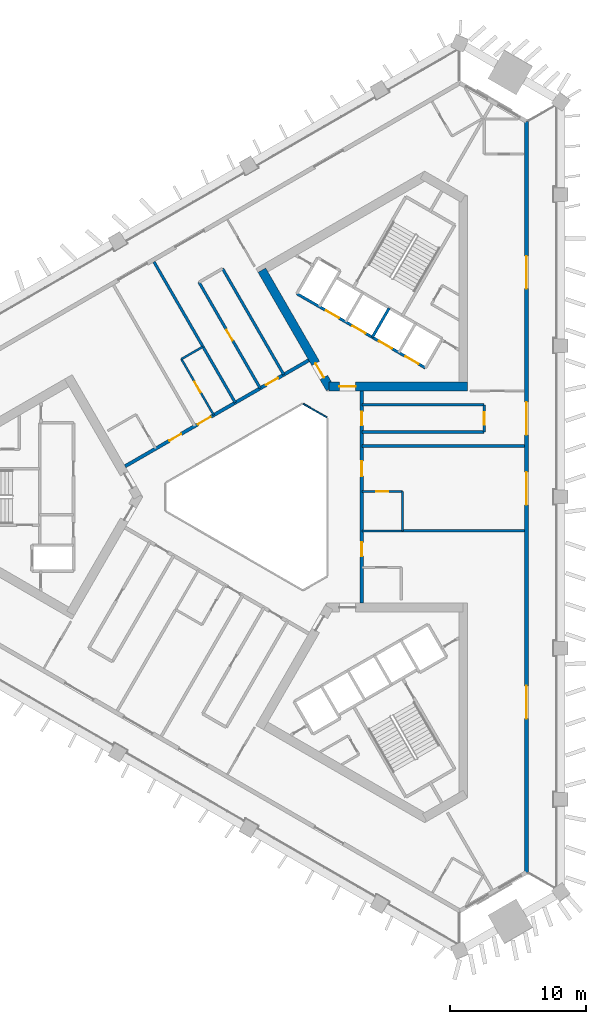
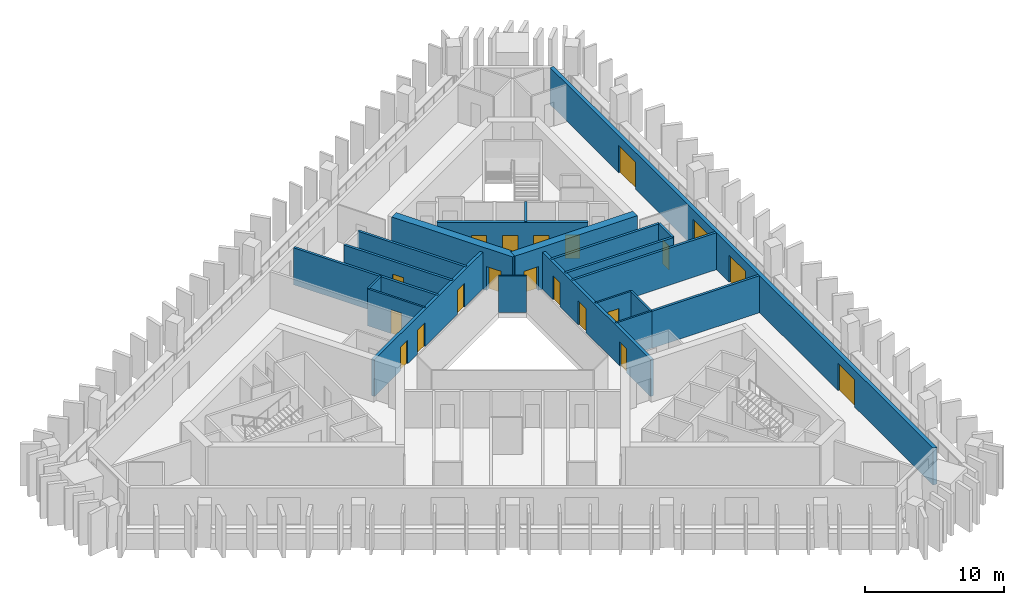
# One storey, part 5 of 11: 21 walls, 20 doors, 20 openings.
"""IFC4 building model written with IfcOpenShell, lengths in metres."""

from ifc_helpers import new_model, si_unit, direction, frame, frame_2d, origin, place, context, subcontext, project, spatial, rectangle, extrude, material, layer, layer_set, type_object, element, fill, save


model = new_model("IFC4")

# Units and contexts
model_context = context("Model", 3, precision=1e-05, world=origin(), true_north=direction((0.0, 1.0)))
body_context = subcontext(model_context, "Body", "Model", "MODEL_VIEW")
ifc_project = project(units=[si_unit("LENGTHUNIT", "METRE"), si_unit("AREAUNIT", "SQUARE_METRE"), si_unit("VOLUMEUNIT", "CUBIC_METRE"), si_unit("PLANEANGLEUNIT", "RADIAN"), si_unit("MASSUNIT", "GRAM", prefix="KILO")], contexts=[model_context])

# Site, building, storey
site_placement = place(None, origin())
site = spatial("IfcSite", under=ifc_project, at=site_placement, CompositionType="ELEMENT")
building_placement = place(site_placement, origin())
building = spatial("IfcBuilding", under=site, at=building_placement, Name="Jabali Bay Hotel Tower and Convention Centre", CompositionType="ELEMENT")
storey_placement = place(building_placement, frame((0.0, 0.0, 143.800048828125)))
storey = spatial("IfcBuildingStorey", under=building, at=storey_placement, Name="L35", CompositionType="ELEMENT", Elevation=143.800048828125)

# Walls
ifc_material_1 = material(Name="Fire-resistant glazing", Category="glass")
ifc_layer_1 = layer(ifc_material_1, 0.10009765625)
ifc_layer_set_1 = layer_set([ifc_layer_1], Name="Fire-resistant glazing")
wall_type_1 = type_object("IfcWallType", Name="Atrium glazed screen 100", PredefinedType="PARTITIONING", material=ifc_layer_set_1)
wall_1_placement = place(storey_placement, frame((79.530029296875, 85.84619140625, 0.0), z_axis=(0.0, 0.0, 1.0), x_axis=(-0.866041268327, 0.499972520799, 0.0)))
element("IfcWall", 1, at=wall_1_placement, inside=storey, type_object=wall_type_1, Name="Atrium screen 2 L35", PredefinedType="PARTITIONING", context=body_context, shape_type="SweptSolid", body=[
    extrude(rectangle(XDim=2.0, YDim=0.10009765625, at=frame_2d((1.0, 0.0))), origin(), (0.0, 0.0, 1.0), 3.25),
])
ifc_material_2 = material(Name="Concrete C40", Category="concrete")
ifc_layer_2 = layer(ifc_material_2, 0.199951171875)
ifc_layer_set_2 = layer_set([ifc_layer_2], Name="Concrete C40")
wall_type_2 = type_object("IfcWallType", Name="Core stair wall 200", PredefinedType="SOLIDWALL", material=ifc_layer_set_2)
wall_2_placement = place(storey_placement, frame((82.872802734375, 91.73583984375, 0.0), z_axis=(0.0, 0.0, 1.0), x_axis=(0.499961042966, 0.86604789447, 0.0)))
element("IfcWall", 2, at=wall_2_placement, inside=storey, type_object=wall_type_2, Name="Core wall 1.4 L35", PredefinedType="SOLIDWALL", context=body_context, shape_type="SweptSolid", body=[
    extrude(rectangle(XDim=2.480224609375, YDim=0.199951171875, at=frame_2d((1.240234375, 0.0))), origin(), (0.0, 0.0, 1.0), 3.25),
])

# Wall, openings, doors
wall_3_placement = place(storey_placement, frame((86.769775390625, 89.48583984375, 0.0), z_axis=(0.0, 0.0, 1.0), x_axis=(-0.86601811187, 0.500012629753, 0.0)))
wall_3 = element("IfcWall", 3, at=wall_3_placement, inside=storey, type_object=wall_type_2, Name="Core wall 1.10 L35", PredefinedType="SOLIDWALL", context=body_context, shape_type="SweptSolid", body=[
    extrude(rectangle(XDim=10.900146484375, YDim=0.199951171875, at=frame_2d((5.4501953125, 0.0))), origin(), (0.0, 0.0, 1.0), 3.25),
])
opening_1_placement = place(wall_3_placement, frame((0.574951171875, 0.0, 0.0)))
opening_1 = element("IfcOpeningElement", 4, at=opening_1_placement, cuts=wall_3, Name="Opening LD6-L35", PredefinedType="OPENING", context=body_context, shape_type="SweptSolid", body=[
    extrude(rectangle(XDim=1.10009765625, YDim=2.10009765625, at=frame_2d((0.550048828125, 1.050048828125))), frame((0.0, 0.1103515625, 0.0), z_axis=(0.0, -1.0, 0.0), x_axis=(1.0, 0.0, 0.0)), (0.0, 0.0, 1.0), 0.220947265625),
])
opening_2_placement = place(wall_3_placement, frame((2.824951171875, 0.0, 0.0)))
opening_2 = element("IfcOpeningElement", 5, at=opening_2_placement, cuts=wall_3, Name="Opening LD7-L35", PredefinedType="OPENING", context=body_context, shape_type="SweptSolid", body=[
    extrude(rectangle(XDim=1.10009765625, YDim=2.10009765625, at=frame_2d((0.550048828125, 1.050048828125))), frame((0.0, 0.1103515625, 0.0), z_axis=(0.0, -1.0, 0.0), x_axis=(1.0, 0.0, 0.0)), (0.0, 0.0, 1.0), 0.220947265625),
])
opening_3_placement = place(wall_3_placement, frame((5.074951171875, 0.0, 0.0)))
opening_3 = element("IfcOpeningElement", 6, at=opening_3_placement, cuts=wall_3, Name="Opening LD8-L35", PredefinedType="OPENING", context=body_context, shape_type="SweptSolid", body=[
    extrude(rectangle(XDim=1.10009765625, YDim=2.10009765625, at=frame_2d((0.550048828125, 1.050048828125))), frame((0.0, 0.1103515625, 0.0), z_axis=(0.0, -1.0, 0.0), x_axis=(1.0, 0.0, 0.0)), (0.0, 0.0, 1.0), 0.220947265625),
])
opening_4_placement = place(wall_3_placement, frame((7.324951171875, 0.0, 0.0)))
opening_4 = element("IfcOpeningElement", 7, at=opening_4_placement, cuts=wall_3, Name="Opening LD9-L35", PredefinedType="OPENING", context=body_context, shape_type="SweptSolid", body=[
    extrude(rectangle(XDim=1.10009765625, YDim=2.10009765625, at=frame_2d((0.550048828125, 1.050048828125))), frame((0.0, 0.1103515625, 0.0), z_axis=(0.0, -1.0, 0.0), x_axis=(1.0, 0.0, 0.0)), (0.0, 0.0, 1.0), 0.220947265625),
])
ifc_material_3 = material(Name="Stainless steel landing door", Category="steel")
door_type_1 = type_object("IfcDoorType", Name="Landing door 1100 x 2100", OperationType="NOTDEFINED", PredefinedType="NOTDEFINED", material=ifc_material_3)
door_1_placement = place(opening_1_placement, origin())
door_1 = element("IfcDoor", 8, at=door_1_placement, inside=storey, type_object=door_type_1, Name="Landing doors LD6-L35", OperationType="SLIDING_TO_RIGHT", OverallHeight=2.10009765625, OverallWidth=1.10009765625, PredefinedType="NOTDEFINED", context=body_context, shape_type="SweptSolid", body=[
    extrude(rectangle(XDim=1.10009765625, YDim=2.10009765625, at=frame_2d((0.550048828125, 1.050048828125))), frame((0.0, 0.02490234375, 0.0), z_axis=(0.0, -1.0, 0.0), x_axis=(1.0, 0.0, 0.0)), (0.0, 0.0, 1.0), 0.050048828125),
])
fill(opening_1, door_1)
door_2_placement = place(opening_2_placement, origin())
door_2 = element("IfcDoor", 9, at=door_2_placement, inside=storey, type_object=door_type_1, Name="Landing doors LD7-L35", OperationType="SLIDING_TO_LEFT", OverallHeight=2.10009765625, OverallWidth=1.10009765625, PredefinedType="NOTDEFINED", context=body_context, shape_type="SweptSolid", body=[
    extrude(rectangle(XDim=1.10009765625, YDim=2.10009765625, at=frame_2d((0.550048828125, 1.050048828125))), frame((0.0, 0.02490234375, 0.0), z_axis=(0.0, -1.0, 0.0), x_axis=(1.0, 0.0, 0.0)), (0.0, 0.0, 1.0), 0.050048828125),
])
fill(opening_2, door_2)
door_3_placement = place(opening_3_placement, origin())
door_3 = element("IfcDoor", 10, at=door_3_placement, inside=storey, type_object=door_type_1, Name="Landing doors LD8-L35", OperationType="SLIDING_TO_RIGHT", OverallHeight=2.10009765625, OverallWidth=1.10009765625, PredefinedType="NOTDEFINED", context=body_context, shape_type="SweptSolid", body=[
    extrude(rectangle(XDim=1.10009765625, YDim=2.10009765625, at=frame_2d((0.550048828125, 1.050048828125))), frame((0.0, 0.02490234375, 0.0), z_axis=(0.0, -1.0, 0.0), x_axis=(1.0, 0.0, 0.0)), (0.0, 0.0, 1.0), 0.050048828125),
])
fill(opening_3, door_3)
door_4_placement = place(opening_4_placement, origin())
door_4 = element("IfcDoor", 11, at=door_4_placement, inside=storey, type_object=door_type_1, Name="Landing doors LD9-L35", OperationType="SLIDING_TO_LEFT", OverallHeight=2.10009765625, OverallWidth=1.10009765625, PredefinedType="NOTDEFINED", context=body_context, shape_type="SweptSolid", body=[
    extrude(rectangle(XDim=1.10009765625, YDim=2.10009765625, at=frame_2d((0.550048828125, 1.050048828125))), frame((0.0, 0.02490234375, 0.0), z_axis=(0.0, -1.0, 0.0), x_axis=(1.0, 0.0, 0.0)), (0.0, 0.0, 1.0), 0.050048828125),
])
fill(opening_4, door_4)

# Wall, opening, door
ifc_material_4 = material(Name="Concrete C60", Category="concrete")
ifc_layer_3 = layer(ifc_material_4, 0.64990234375)
ifc_layer_set_3 = layer_set([ifc_layer_3], Name="Concrete C60")
wall_type_3 = type_object("IfcWallType", Name="Core wall 650", PredefinedType="SHEAR", material=ifc_layer_set_3)
wall_4_placement = place(storey_placement, frame((79.687744140625, 88.119140625, 0.0), z_axis=(0.0, 0.0, 1.0), x_axis=(1.0, 0.0, 0.0)))
wall_4 = element("IfcWall", 12, at=wall_4_placement, inside=storey, type_object=wall_type_3, Name="Core wall 2.1 L35", PredefinedType="SHEAR", context=body_context, shape_type="SweptSolid", body=[
    extrude(rectangle(XDim=10.192138671875, YDim=0.64990234375, at=frame_2d((5.09619140625, 0.0))), origin(), (0.0, 0.0, 1.0), 3.699951171875),
])
opening_5_placement = place(wall_4_placement, frame((0.762451171875, 0.0, 0.0)))
opening_5 = element("IfcOpeningElement", 13, at=opening_5_placement, cuts=wall_4, Name="Opening D770", PredefinedType="OPENING", context=body_context, shape_type="SweptSolid", body=[
    extrude(rectangle(XDim=1.199951171875, YDim=2.10009765625, at=frame_2d((0.60009765625, 1.050048828125))), frame((0.0, 0.33544921875, 0.0), z_axis=(0.0, -1.0, 0.0), x_axis=(1.0, 0.0, 0.0)), (0.0, 0.0, 1.0), 0.6708984375),
])
ifc_material_5 = material(Name="Fire-rated steel door", Category="steel")
door_type_2 = type_object("IfcDoorType", Name="Corridor end fire door 1200 x 2100", OperationType="NOTDEFINED", PredefinedType="NOTDEFINED", material=ifc_material_5)
door_5_placement = place(opening_5_placement, origin())
door_5 = element("IfcDoor", 14, at=door_5_placement, inside=storey, type_object=door_type_2, Name="Corridor end fire door D770", OperationType="SINGLE_SWING_RIGHT", OverallHeight=2.10009765625, OverallWidth=1.199951171875, PredefinedType="NOTDEFINED", context=body_context, shape_type="SweptSolid", body=[
    extrude(rectangle(XDim=1.199951171875, YDim=2.10009765625, at=frame_2d((0.60009765625, 1.050048828125))), frame((0.0, 0.02490234375, 0.0), z_axis=(0.0, -1.0, 0.0), x_axis=(1.0, 0.0, 0.0)), (0.0, 0.0, 1.0), 0.050048828125),
])
fill(opening_5, door_5)

wall_5_placement = place(storey_placement, frame((74.75390625, 96.66455078125, 0.0), z_axis=(0.0, 0.0, 1.0), x_axis=(0.500011799426, -0.866018591275, 0.0)))
wall_5 = element("IfcWall", 15, at=wall_5_placement, inside=storey, type_object=wall_type_3, Name="Core wall 2.5 L35", PredefinedType="SHEAR", context=body_context, shape_type="SweptSolid", body=[
    extrude(rectangle(XDim=10.054931640625, YDim=0.64990234375, at=frame_2d((5.02734375, 0.0))), origin(), (0.0, 0.0, 1.0), 3.699951171875),
])
opening_6_placement = place(wall_5_placement, frame((7.905029296875, 0.0, 0.0)))
opening_6 = element("IfcOpeningElement", 16, at=opening_6_placement, cuts=wall_5, Name="Opening D771", PredefinedType="OPENING", context=body_context, shape_type="SweptSolid", body=[
    extrude(rectangle(XDim=1.199951171875, YDim=2.10009765625, at=frame_2d((0.60009765625, 1.050048828125))), frame((0.0, 0.33544921875, 0.0), z_axis=(0.0, -1.0, 0.0), x_axis=(1.0, 0.0, 0.0)), (0.0, 0.0, 1.0), 0.6708984375),
])
door_6_placement = place(opening_6_placement, origin())
door_6 = element("IfcDoor", 17, at=door_6_placement, inside=storey, type_object=door_type_2, Name="Corridor end fire door D771", OperationType="SINGLE_SWING_LEFT", OverallHeight=2.10009765625, OverallWidth=1.199951171875, PredefinedType="NOTDEFINED", context=body_context, shape_type="SweptSolid", body=[
    extrude(rectangle(XDim=1.199951171875, YDim=2.10009765625, at=frame_2d((0.60009765625, 1.050048828125))), frame((0.0, 0.02490234375, 0.0), z_axis=(0.0, -1.0, 0.0), x_axis=(1.0, 0.0, 0.0)), (0.0, 0.0, 1.0), 0.050048828125),
])
fill(opening_6, door_6)

# Wall, openings, doors
ifc_layer_4 = layer(ifc_material_4, 0.25)
ifc_layer_set_4 = layer_set([ifc_layer_4], Name="Concrete C60")
wall_type_4 = type_object("IfcWallType", Name="Corridor wall 250", PredefinedType="SHEAR", material=ifc_layer_set_4)
wall_6_placement = place(storey_placement, frame((82.10009765625, 72.205810546875, 0.0), z_axis=(0.0, 0.0, 1.0), x_axis=(0.0, 1.0, 0.0)))
wall_6 = element("IfcWall", 18, at=wall_6_placement, inside=storey, type_object=wall_type_4, Name="Corridor wall 1 L35", PredefinedType="SHEAR", context=body_context, shape_type="SweptSolid", body=[
    extrude(rectangle(XDim=15.58837890625, YDim=0.25, at=frame_2d((7.794189453125, 0.0))), origin(), (0.0, 0.0, 1.0), 3.25),
])
opening_7_placement = place(wall_6_placement, frame((3.449951171875, 0.0, 0.0)))
opening_7 = element("IfcOpeningElement", 19, at=opening_7_placement, cuts=wall_6, Name="Opening 3502", PredefinedType="OPENING", context=body_context, shape_type="SweptSolid", body=[
    extrude(rectangle(XDim=1.0, YDim=2.10009765625, at=frame_2d((0.5, 1.050048828125))), frame((0.0, 0.135498046875, 0.0), z_axis=(0.0, -1.0, 0.0), x_axis=(1.0, 0.0, 0.0)), (0.0, 0.0, 1.0), 0.27099609375),
])
opening_8_placement = place(wall_6_placement, frame((9.31787109375, 0.0, 0.0)))
opening_8 = element("IfcOpeningElement", 20, at=opening_8_placement, cuts=wall_6, Name="Opening 3504", PredefinedType="OPENING", context=body_context, shape_type="SweptSolid", body=[
    extrude(rectangle(XDim=1.10009765625, YDim=2.10009765625, at=frame_2d((0.550048828125, 1.050048828125))), frame((0.0, 0.135498046875, 0.0), z_axis=(0.0, -1.0, 0.0), x_axis=(1.0, 0.0, 0.0)), (0.0, 0.0, 1.0), 0.27099609375),
])
opening_9_placement = place(wall_6_placement, frame((13.06201171875, 0.0, 0.0)))
opening_9 = element("IfcOpeningElement", 21, at=opening_9_placement, cuts=wall_6, Name="Opening 3505", PredefinedType="OPENING", context=body_context, shape_type="SweptSolid", body=[
    extrude(rectangle(XDim=1.0, YDim=2.10009765625, at=frame_2d((0.5, 1.050048828125))), frame((0.0, 0.135498046875, 0.0), z_axis=(0.0, -1.0, 0.0), x_axis=(1.0, 0.0, 0.0)), (0.0, 0.0, 1.0), 0.27099609375),
])
ifc_material_6 = material(Name="Timber", Category="wood")
door_type_3 = type_object("IfcDoorType", Name="Accessible guest room door 1100 x 2100", OperationType="NOTDEFINED", PredefinedType="NOTDEFINED", material=ifc_material_6)
door_7_placement = place(opening_8_placement, origin())
door_7 = element("IfcDoor", 22, at=door_7_placement, inside=storey, type_object=door_type_3, Name="Door 3504", OperationType="SINGLE_SWING_RIGHT", OverallHeight=2.10009765625, OverallWidth=1.10009765625, PredefinedType="NOTDEFINED", context=body_context, shape_type="SweptSolid", body=[
    extrude(rectangle(XDim=1.10009765625, YDim=2.10009765625, at=frame_2d((0.550048828125, 1.050048828125))), frame((0.0, 0.02490234375, 0.0), z_axis=(0.0, -1.0, 0.0), x_axis=(1.0, 0.0, 0.0)), (0.0, 0.0, 1.0), 0.050048828125),
])
fill(opening_8, door_7)
door_type_4 = type_object("IfcDoorType", Name="Guest room door 1000 x 2100", OperationType="NOTDEFINED", PredefinedType="NOTDEFINED", material=ifc_material_6)
door_8_placement = place(opening_7_placement, origin())
door_8 = element("IfcDoor", 23, at=door_8_placement, inside=storey, type_object=door_type_4, Name="Door 3502", OperationType="SINGLE_SWING_LEFT", OverallHeight=2.10009765625, OverallWidth=1.0, PredefinedType="NOTDEFINED", context=body_context, shape_type="SweptSolid", body=[
    extrude(rectangle(XDim=1.0, YDim=2.10009765625, at=frame_2d((0.5, 1.050048828125))), frame((0.0, 0.02490234375, 0.0), z_axis=(0.0, -1.0, 0.0), x_axis=(1.0, 0.0, 0.0)), (0.0, 0.0, 1.0), 0.050048828125),
])
fill(opening_7, door_8)
door_9_placement = place(opening_9_placement, origin())
door_9 = element("IfcDoor", 24, at=door_9_placement, inside=storey, type_object=door_type_4, Name="Door 3505", OperationType="SINGLE_SWING_RIGHT", OverallHeight=2.10009765625, OverallWidth=1.0, PredefinedType="NOTDEFINED", context=body_context, shape_type="SweptSolid", body=[
    extrude(rectangle(XDim=1.0, YDim=2.10009765625, at=frame_2d((0.5, 1.050048828125))), frame((0.0, 0.02490234375, 0.0), z_axis=(0.0, -1.0, 0.0), x_axis=(1.0, 0.0, 0.0)), (0.0, 0.0, 1.0), 0.050048828125),
])
fill(opening_9, door_9)

wall_7_placement = place(storey_placement, frame((78.199951171875, 90.0458984375, 0.0), z_axis=(0.0, 0.0, 1.0), x_axis=(-0.866026492143, -0.499998114903, 0.0)))
wall_7 = element("IfcWall", 25, at=wall_7_placement, inside=storey, type_object=wall_type_4, Name="Corridor wall 2 L35", PredefinedType="SHEAR", context=body_context, shape_type="SweptSolid", body=[
    extrude(rectangle(XDim=15.58837890625, YDim=0.25, at=frame_2d((7.794189453125, 0.0))), origin(), (0.0, 0.0, 1.0), 3.25),
])
opening_10_placement = place(wall_7_placement, frame((2.61767578125, 0.0, 0.0)))
opening_10 = element("IfcOpeningElement", 26, at=opening_10_placement, cuts=wall_7, Name="Opening 3509", PredefinedType="OPENING", context=body_context, shape_type="SweptSolid", body=[
    extrude(rectangle(XDim=1.0, YDim=2.10009765625, at=frame_2d((0.5, 1.050048828125))), frame((0.0, 0.135498046875, 0.0), z_axis=(0.0, -1.0, 0.0), x_axis=(1.0, 0.0, 0.0)), (0.0, 0.0, 1.0), 0.27099609375),
])
opening_11_placement = place(wall_7_placement, frame((8.314697265625, 0.0, 0.0)))
opening_11 = element("IfcOpeningElement", 27, at=opening_11_placement, cuts=wall_7, Name="Opening 3514", PredefinedType="OPENING", context=body_context, shape_type="SweptSolid", body=[
    extrude(rectangle(XDim=1.10009765625, YDim=2.10009765625, at=frame_2d((0.550048828125, 1.050048828125))), frame((0.0, 0.135498046875, 0.0), z_axis=(0.0, -1.0, 0.0), x_axis=(1.0, 0.0, 0.0)), (0.0, 0.0, 1.0), 0.27099609375),
])
opening_12_placement = place(wall_7_placement, frame((10.82666015625, 0.0, 0.0)))
opening_12 = element("IfcOpeningElement", 28, at=opening_12_placement, cuts=wall_7, Name="Opening 3516", PredefinedType="OPENING", context=body_context, shape_type="SweptSolid", body=[
    extrude(rectangle(XDim=1.0, YDim=2.10009765625, at=frame_2d((0.5, 1.050048828125))), frame((0.0, 0.135498046875, 0.0), z_axis=(0.0, -1.0, 0.0), x_axis=(1.0, 0.0, 0.0)), (0.0, 0.0, 1.0), 0.27099609375),
])
door_10_placement = place(opening_11_placement, origin())
door_10 = element("IfcDoor", 29, at=door_10_placement, inside=storey, type_object=door_type_3, Name="Door 3514", OperationType="SINGLE_SWING_RIGHT", OverallHeight=2.10009765625, OverallWidth=1.10009765625, PredefinedType="NOTDEFINED", context=body_context, shape_type="SweptSolid", body=[
    extrude(rectangle(XDim=1.10009765625, YDim=2.10009765625, at=frame_2d((0.550048828125, 1.050048828125))), frame((0.0, 0.02490234375, 0.0), z_axis=(0.0, -1.0, 0.0), x_axis=(1.0, 0.0, 0.0)), (0.0, 0.0, 1.0), 0.050048828125),
])
fill(opening_11, door_10)
door_11_placement = place(opening_10_placement, origin())
door_11 = element("IfcDoor", 30, at=door_11_placement, inside=storey, type_object=door_type_4, Name="Door 3509", OperationType="SINGLE_SWING_LEFT", OverallHeight=2.10009765625, OverallWidth=1.0, PredefinedType="NOTDEFINED", context=body_context, shape_type="SweptSolid", body=[
    extrude(rectangle(XDim=1.0, YDim=2.10009765625, at=frame_2d((0.5, 1.050048828125))), frame((0.0, 0.02490234375, 0.0), z_axis=(0.0, -1.0, 0.0), x_axis=(1.0, 0.0, 0.0)), (0.0, 0.0, 1.0), 0.050048828125),
])
fill(opening_10, door_11)
door_12_placement = place(opening_12_placement, origin())
door_12 = element("IfcDoor", 31, at=door_12_placement, inside=storey, type_object=door_type_4, Name="Door 3516", OperationType="SINGLE_SWING_RIGHT", OverallHeight=2.10009765625, OverallWidth=1.0, PredefinedType="NOTDEFINED", context=body_context, shape_type="SweptSolid", body=[
    extrude(rectangle(XDim=1.0, YDim=2.10009765625, at=frame_2d((0.5, 1.050048828125))), frame((0.0, 0.02490234375, 0.0), z_axis=(0.0, -1.0, 0.0), x_axis=(1.0, 0.0, 0.0)), (0.0, 0.0, 1.0), 0.050048828125),
])
fill(opening_12, door_12)

ifc_layer_5 = layer(ifc_material_2, 0.300048828125)
ifc_layer_set_5 = layer_set([ifc_layer_5], Name="Concrete C40")
wall_type_5 = type_object("IfcWallType", Name="External wall 300", PredefinedType="SOLIDWALL", material=ifc_layer_set_5)
wall_8_placement = place(storey_placement, frame((94.202392578125, 107.60986328125, 0.0), z_axis=(0.0, 0.0, 1.0), x_axis=(0.0, -1.0, 0.0)))
wall_8 = element("IfcWall", 32, at=wall_8_placement, inside=storey, type_object=wall_type_5, Name="External wall east face L35", PredefinedType="SOLIDWALL", context=body_context, shape_type="SweptSolid", body=[
    extrude(rectangle(XDim=55.2197265625, YDim=0.300048828125, at=frame_2d((27.60986328125, 0.0))), origin(), (0.0, 0.0, 1.0), 3.25),
])
opening_13_placement = place(wall_8_placement, frame((25.786376953125, 0.0, 0.0)))
opening_13 = element("IfcOpeningElement", 33, at=opening_13_placement, cuts=wall_8, Name="Opening SD1", PredefinedType="OPENING", context=body_context, shape_type="SweptSolid", body=[
    extrude(rectangle(XDim=2.39990234375, YDim=2.39990234375, at=frame_2d((1.199951171875, 1.199951171875))), frame((0.0, 0.16064453125, 0.0), z_axis=(0.0, -1.0, 0.0), x_axis=(1.0, 0.0, 0.0)), (0.0, 0.0, 1.0), 0.321044921875),
])
opening_14_placement = place(wall_8_placement, frame((20.64208984375, 0.0, 0.0)))
opening_14 = element("IfcOpeningElement", 34, at=opening_14_placement, cuts=wall_8, Name="Opening SD1", PredefinedType="OPENING", context=body_context, shape_type="SweptSolid", body=[
    extrude(rectangle(XDim=2.39990234375, YDim=2.39990234375, at=frame_2d((1.199951171875, 1.199951171875))), frame((0.0, 0.16064453125, 0.0), z_axis=(0.0, -1.0, 0.0), x_axis=(1.0, 0.0, 0.0)), (0.0, 0.0, 1.0), 0.321044921875),
])
opening_15_placement = place(wall_8_placement, frame((9.906494140625, 0.0, 0.0)))
opening_15 = element("IfcOpeningElement", 35, at=opening_15_placement, cuts=wall_8, Name="Opening SD1", PredefinedType="OPENING", context=body_context, shape_type="SweptSolid", body=[
    extrude(rectangle(XDim=2.39990234375, YDim=2.39990234375, at=frame_2d((1.199951171875, 1.199951171875))), frame((0.0, 0.16064453125, 0.0), z_axis=(0.0, -1.0, 0.0), x_axis=(1.0, 0.0, 0.0)), (0.0, 0.0, 1.0), 0.321044921875),
])
opening_16_placement = place(wall_8_placement, frame((41.505126953125, 0.0, 0.0)))
opening_16 = element("IfcOpeningElement", 36, at=opening_16_placement, cuts=wall_8, Name="Opening SD1", PredefinedType="OPENING", context=body_context, shape_type="SweptSolid", body=[
    extrude(rectangle(XDim=2.39990234375, YDim=2.39990234375, at=frame_2d((1.199951171875, 1.199951171875))), frame((0.0, 0.16064453125, 0.0), z_axis=(0.0, -1.0, 0.0), x_axis=(1.0, 0.0, 0.0)), (0.0, 0.0, 1.0), 0.321044921875),
])
ifc_material_7 = material(Name="Glass", Category="glass")
door_type_5 = type_object("IfcDoorType", Name="Loggia sliding door 2400 x 2400", OperationType="NOTDEFINED", PredefinedType="NOTDEFINED", material=ifc_material_7)
door_13_placement = place(opening_13_placement, origin())
door_13 = element("IfcDoor", 37, at=door_13_placement, inside=storey, type_object=door_type_5, Name="Loggia sliding door 3502", OperationType="SLIDING_TO_LEFT", OverallHeight=2.39990234375, OverallWidth=2.39990234375, PredefinedType="NOTDEFINED", context=body_context, shape_type="SweptSolid", body=[
    extrude(rectangle(XDim=2.39990234375, YDim=2.39990234375, at=frame_2d((1.199951171875, 1.199951171875))), frame((0.0, 0.02490234375, 0.0), z_axis=(0.0, -1.0, 0.0), x_axis=(1.0, 0.0, 0.0)), (0.0, 0.0, 1.0), 0.050048828125),
])
fill(opening_13, door_13)
door_14_placement = place(opening_14_placement, origin())
door_14 = element("IfcDoor", 38, at=door_14_placement, inside=storey, type_object=door_type_5, Name="Loggia sliding door 3503", OperationType="SLIDING_TO_RIGHT", OverallHeight=2.39990234375, OverallWidth=2.39990234375, PredefinedType="NOTDEFINED", context=body_context, shape_type="SweptSolid", body=[
    extrude(rectangle(XDim=2.39990234375, YDim=2.39990234375, at=frame_2d((1.199951171875, 1.199951171875))), frame((0.0, 0.02490234375, 0.0), z_axis=(0.0, -1.0, 0.0), x_axis=(1.0, 0.0, 0.0)), (0.0, 0.0, 1.0), 0.050048828125),
])
fill(opening_14, door_14)
door_15_placement = place(opening_15_placement, origin())
door_15 = element("IfcDoor", 39, at=door_15_placement, inside=storey, type_object=door_type_5, Name="Loggia sliding door 3503", OperationType="SLIDING_TO_LEFT", OverallHeight=2.39990234375, OverallWidth=2.39990234375, PredefinedType="NOTDEFINED", context=body_context, shape_type="SweptSolid", body=[
    extrude(rectangle(XDim=2.39990234375, YDim=2.39990234375, at=frame_2d((1.199951171875, 1.199951171875))), frame((0.0, 0.02490234375, 0.0), z_axis=(0.0, -1.0, 0.0), x_axis=(1.0, 0.0, 0.0)), (0.0, 0.0, 1.0), 0.050048828125),
])
fill(opening_15, door_15)
door_16_placement = place(opening_16_placement, origin())
door_16 = element("IfcDoor", 40, at=door_16_placement, inside=storey, type_object=door_type_5, Name="Loggia sliding door 3501", OperationType="SLIDING_TO_RIGHT", OverallHeight=2.39990234375, OverallWidth=2.39990234375, PredefinedType="NOTDEFINED", context=body_context, shape_type="SweptSolid", body=[
    extrude(rectangle(XDim=2.39990234375, YDim=2.39990234375, at=frame_2d((1.199951171875, 1.199951171875))), frame((0.0, 0.02490234375, 0.0), z_axis=(0.0, -1.0, 0.0), x_axis=(1.0, 0.0, 0.0)), (0.0, 0.0, 1.0), 0.050048828125),
])
fill(opening_16, door_16)

# Wall
ifc_material_8 = material(Name="Plasterboard on steel stud", Category="steel")
ifc_layer_6 = layer(ifc_material_8, 0.14990234375)
ifc_layer_set_6 = layer_set([ifc_layer_6], Name="Plasterboard on steel stud")
wall_type_6 = type_object("IfcWallType", Name="Partition 150 wet", PredefinedType="PARTITIONING", material=ifc_layer_set_6)
wall_9_placement = place(storey_placement, frame((85.10009765625, 77.505859375, 0.0), z_axis=(0.0, 0.0, 1.0), x_axis=(-1.0, 0.0, 0.0)))
element("IfcWall", 41, at=wall_9_placement, inside=storey, type_object=wall_type_6, Name="Partition P03 L35 004", PredefinedType="PARTITIONING", context=body_context, shape_type="SweptSolid", body=[
    extrude(rectangle(XDim=3.0, YDim=0.14990234375, at=frame_2d((1.5, 0.0))), origin(), (0.0, 0.0, 1.0), 3.25),
])

# Wall, opening, door
wall_10_placement = place(storey_placement, frame((82.10009765625, 80.40576171875, 0.0), z_axis=(0.0, 0.0, 1.0), x_axis=(1.0, 0.0, 0.0)))
wall_10 = element("IfcWall", 42, at=wall_10_placement, inside=storey, type_object=wall_type_6, Name="Partition P03 L35 006", PredefinedType="PARTITIONING", context=body_context, shape_type="SweptSolid", body=[
    extrude(rectangle(XDim=3.0, YDim=0.14990234375, at=frame_2d((1.5, 0.0))), origin(), (0.0, 0.0, 1.0), 3.25),
])
opening_17_placement = place(wall_10_placement, frame((1.050048828125, 0.0, 0.0)))
opening_17 = element("IfcOpeningElement", 43, at=opening_17_placement, cuts=wall_10, Name="Opening 3503", PredefinedType="OPENING", context=body_context, shape_type="SweptSolid", body=[
    extrude(rectangle(XDim=0.89990234375, YDim=2.10009765625, at=frame_2d((0.449951171875, 1.050048828125))), frame((0.0, 0.08544921875, 0.0), z_axis=(0.0, -1.0, 0.0), x_axis=(1.0, 0.0, 0.0)), (0.0, 0.0, 1.0), 0.1708984375),
])
door_type_6 = type_object("IfcDoorType", Name="Accessible en-suite door 900 x 2100", OperationType="NOTDEFINED", PredefinedType="NOTDEFINED", material=ifc_material_6)
door_17_placement = place(opening_17_placement, origin())
door_17 = element("IfcDoor", 44, at=door_17_placement, inside=storey, type_object=door_type_6, Name="Door 3503", OperationType="SINGLE_SWING_LEFT", OverallHeight=2.10009765625, OverallWidth=0.89990234375, PredefinedType="NOTDEFINED", context=body_context, shape_type="SweptSolid", body=[
    extrude(rectangle(XDim=0.89990234375, YDim=2.10009765625, at=frame_2d((0.449951171875, 1.050048828125))), frame((0.0, 0.02490234375, 0.0), z_axis=(0.0, -1.0, 0.0), x_axis=(1.0, 0.0, 0.0)), (0.0, 0.0, 1.0), 0.050048828125),
])
fill(opening_17, door_17)

# Wall
wall_11_placement = place(storey_placement, frame((85.10009765625, 80.40576171875, 0.0), z_axis=(0.0, 0.0, 1.0), x_axis=(0.0, -1.0, 0.0)))
element("IfcWall", 45, at=wall_11_placement, inside=storey, type_object=wall_type_6, Name="Partition P03 L35 007", PredefinedType="PARTITIONING", context=body_context, shape_type="SweptSolid", body=[
    extrude(rectangle(XDim=2.89990234375, YDim=0.14990234375, at=frame_2d((1.449951171875, 0.0))), origin(), (0.0, 0.0, 1.0), 3.25),
])

# Wall, opening, door
wall_12_placement = place(storey_placement, frame((71.215576171875, 86.013427734375, 0.0), z_axis=(0.0, 0.0, 1.0), x_axis=(-0.499987613552, 0.866032554986, 0.0)))
wall_12 = element("IfcWall", 46, at=wall_12_placement, inside=storey, type_object=wall_type_6, Name="Partition P03 L35 025", PredefinedType="PARTITIONING", context=body_context, shape_type="SweptSolid", body=[
    extrude(rectangle(XDim=4.75537109375, YDim=0.14990234375, at=frame_2d((2.377685546875, 0.0))), origin(), (0.0, 0.0, 1.0), 3.25),
])
opening_18_placement = place(wall_12_placement, frame((1.927978515625, 0.0, 0.0)))
opening_18 = element("IfcOpeningElement", 47, at=opening_18_placement, cuts=wall_12, Name="Opening 3513", PredefinedType="OPENING", context=body_context, shape_type="SweptSolid", body=[
    extrude(rectangle(XDim=0.89990234375, YDim=2.10009765625, at=frame_2d((0.449951171875, 1.050048828125))), frame((0.0, 0.08544921875, 0.0), z_axis=(0.0, -1.0, 0.0), x_axis=(1.0, 0.0, 0.0)), (0.0, 0.0, 1.0), 0.1708984375),
])
door_18_placement = place(opening_18_placement, origin())
door_18 = element("IfcDoor", 48, at=door_18_placement, inside=storey, type_object=door_type_6, Name="Door 3513", OperationType="SINGLE_SWING_LEFT", OverallHeight=2.10009765625, OverallWidth=0.89990234375, PredefinedType="NOTDEFINED", context=body_context, shape_type="SweptSolid", body=[
    extrude(rectangle(XDim=0.89990234375, YDim=2.10009765625, at=frame_2d((0.449951171875, 1.050048828125))), frame((0.0, 0.02490234375, 0.0), z_axis=(0.0, -1.0, 0.0), x_axis=(1.0, 0.0, 0.0)), (0.0, 0.0, 1.0), 0.050048828125),
])
fill(opening_18, door_18)

# Walls
wall_13_placement = place(storey_placement, frame((68.837890625, 90.1318359375, 0.0), z_axis=(0.0, 0.0, 1.0), x_axis=(0.866025591402, 0.499999675036, 0.0)))
element("IfcWall", 49, at=wall_13_placement, inside=storey, type_object=wall_type_6, Name="Partition P03 L35 026", PredefinedType="PARTITIONING", context=body_context, shape_type="SweptSolid", body=[
    extrude(rectangle(XDim=1.82958984375, YDim=0.14990234375, at=frame_2d((0.914794921875, 0.0))), origin(), (0.0, 0.0, 1.0), 3.25),
])
ifc_layer_7 = layer(ifc_material_8, 0.199951171875)
ifc_layer_set_7 = layer_set([ifc_layer_7], Name="Plasterboard on steel stud")
wall_type_7 = type_object("IfcWallType", Name="Partition 200 party", PredefinedType="PARTITIONING", material=ifc_layer_set_7)
wall_14_placement = place(storey_placement, frame((94.053466796875, 77.505859375, 0.0), z_axis=(0.0, 0.0, 1.0), x_axis=(-1.0, 0.0, 0.0)))
element("IfcWall", 50, at=wall_14_placement, inside=storey, type_object=wall_type_7, Name="Partition P01 L35 003", PredefinedType="PARTITIONING", context=body_context, shape_type="SweptSolid", body=[
    extrude(rectangle(XDim=8.953369140625, YDim=0.199951171875, at=frame_2d((4.4765625, 0.0))), origin(), (0.0, 0.0, 1.0), 3.25),
])
wall_15_placement = place(storey_placement, frame((94.053466796875, 83.7412109375, 0.0), z_axis=(0.0, 0.0, 1.0), x_axis=(-1.0, 0.0, 0.0)))
element("IfcWall", 51, at=wall_15_placement, inside=storey, type_object=wall_type_7, Name="Partition P01 L35 008", PredefinedType="PARTITIONING", context=body_context, shape_type="SweptSolid", body=[
    extrude(rectangle(XDim=11.953369140625, YDim=0.199951171875, at=frame_2d((5.9765625, 0.0))), origin(), (0.0, 0.0, 1.0), 3.25),
])
wall_16_placement = place(storey_placement, frame((82.10009765625, 86.767822265625, 0.0), z_axis=(0.0, 0.0, 1.0), x_axis=(1.0, 0.0, 0.0)))
element("IfcWall", 52, at=wall_16_placement, inside=storey, type_object=wall_type_7, Name="Partition P01 L35 010", PredefinedType="PARTITIONING", context=body_context, shape_type="SweptSolid", body=[
    extrude(rectangle(XDim=9.0, YDim=0.199951171875, at=frame_2d((4.5, 0.0))), origin(), (0.0, 0.0, 1.0), 3.25),
])

# Wall, opening, door
wall_17_placement = place(storey_placement, frame((91.10009765625, 86.767822265625, 0.0), z_axis=(0.0, 0.0, 1.0), x_axis=(0.0, -1.0, 0.0)))
wall_17 = element("IfcWall", 53, at=wall_17_placement, inside=storey, type_object=wall_type_7, Name="Partition P01 L35 011", PredefinedType="PARTITIONING", context=body_context, shape_type="SweptSolid", body=[
    extrude(rectangle(XDim=2.0, YDim=0.199951171875, at=frame_2d((1.0, 0.0))), origin(), (0.0, 0.0, 1.0), 3.25),
])
opening_19_placement = place(wall_17_placement, frame((0.550048828125, 0.0, 0.0)))
opening_19 = element("IfcOpeningElement", 54, at=opening_19_placement, cuts=wall_17, Name="Opening 3508", PredefinedType="OPENING", context=body_context, shape_type="SweptSolid", body=[
    extrude(rectangle(XDim=0.89990234375, YDim=2.10009765625, at=frame_2d((0.449951171875, 1.050048828125))), frame((0.0, 0.1103515625, 0.0), z_axis=(0.0, -1.0, 0.0), x_axis=(1.0, 0.0, 0.0)), (0.0, 0.0, 1.0), 0.220947265625),
])
door_type_7 = type_object("IfcDoorType", Name="Internal door 900 x 2100", OperationType="NOTDEFINED", PredefinedType="NOTDEFINED", material=ifc_material_6)
door_19_placement = place(opening_19_placement, origin())
door_19 = element("IfcDoor", 55, at=door_19_placement, inside=storey, type_object=door_type_7, Name="Door 3508", OperationType="SINGLE_SWING_RIGHT", OverallHeight=2.10009765625, OverallWidth=0.89990234375, PredefinedType="NOTDEFINED", context=body_context, shape_type="SweptSolid", body=[
    extrude(rectangle(XDim=0.89990234375, YDim=2.10009765625, at=frame_2d((0.449951171875, 1.050048828125))), frame((0.0, 0.02490234375, 0.0), z_axis=(0.0, -1.0, 0.0), x_axis=(1.0, 0.0, 0.0)), (0.0, 0.0, 1.0), 0.050048828125),
])
fill(opening_19, door_19)

# Wall
wall_18_placement = place(storey_placement, frame((91.10009765625, 84.767822265625, 0.0), z_axis=(0.0, 0.0, 1.0), x_axis=(-1.0, 0.0, 0.0)))
element("IfcWall", 56, at=wall_18_placement, inside=storey, type_object=wall_type_7, Name="Partition P01 L35 012", PredefinedType="PARTITIONING", context=body_context, shape_type="SweptSolid", body=[
    extrude(rectangle(XDim=9.0, YDim=0.199951171875, at=frame_2d((4.5, 0.0))), origin(), (0.0, 0.0, 1.0), 3.25),
])

# Wall, opening, door
wall_19_placement = place(storey_placement, frame((74.634033203125, 87.987060546875, 0.0), z_axis=(0.0, 0.0, 1.0), x_axis=(-0.5000018851, 0.866024315419, 0.0)))
wall_19 = element("IfcWall", 57, at=wall_19_placement, inside=storey, type_object=wall_type_7, Name="Partition P01 L35 018", PredefinedType="PARTITIONING", context=body_context, shape_type="SweptSolid", body=[
    extrude(rectangle(XDim=9.0, YDim=0.199951171875, at=frame_2d((4.5, 0.0))), origin(), (0.0, 0.0, 1.0), 3.25),
])
opening_20_placement = place(wall_19_placement, frame((4.050048828125, 0.0, 0.0)))
opening_20 = element("IfcOpeningElement", 58, at=opening_20_placement, cuts=wall_19, Name="Opening 3512", PredefinedType="OPENING", context=body_context, shape_type="SweptSolid", body=[
    extrude(rectangle(XDim=0.89990234375, YDim=2.10009765625, at=frame_2d((0.449951171875, 1.050048828125))), frame((0.0, 0.1103515625, 0.0), z_axis=(0.0, -1.0, 0.0), x_axis=(1.0, 0.0, 0.0)), (0.0, 0.0, 1.0), 0.220947265625),
])
door_20_placement = place(opening_20_placement, origin())
door_20 = element("IfcDoor", 59, at=door_20_placement, inside=storey, type_object=door_type_7, Name="Door 3512", OperationType="SINGLE_SWING_RIGHT", OverallHeight=2.10009765625, OverallWidth=0.89990234375, PredefinedType="NOTDEFINED", context=body_context, shape_type="SweptSolid", body=[
    extrude(rectangle(XDim=0.89990234375, YDim=2.10009765625, at=frame_2d((0.449951171875, 1.050048828125))), frame((0.0, 0.02490234375, 0.0), z_axis=(0.0, -1.0, 0.0), x_axis=(1.0, 0.0, 0.0)), (0.0, 0.0, 1.0), 0.050048828125),
])
fill(opening_20, door_20)

# Walls
wall_20_placement = place(storey_placement, frame((71.865966796875, 96.78125, 0.0), z_axis=(0.0, 0.0, 1.0), x_axis=(0.5000018851, -0.866024315419, 0.0)))
element("IfcWall", 60, at=wall_20_placement, inside=storey, type_object=wall_type_7, Name="Partition P01 L35 020", PredefinedType="PARTITIONING", context=body_context, shape_type="SweptSolid", body=[
    extrude(rectangle(XDim=9.0, YDim=0.199951171875, at=frame_2d((4.5, 0.0))), origin(), (0.0, 0.0, 1.0), 3.25),
])
wall_21_placement = place(storey_placement, frame((66.8232421875, 97.2802734375, 0.0), z_axis=(0.0, 0.0, 1.0), x_axis=(0.500002969958, -0.866023689072, 0.0)))
element("IfcWall", 61, at=wall_21_placement, inside=storey, type_object=wall_type_7, Name="Partition P01 L35 021", PredefinedType="PARTITIONING", context=body_context, shape_type="SweptSolid", body=[
    extrude(rectangle(XDim=11.95361328125, YDim=0.199951171875, at=frame_2d((5.976806640625, 0.0))), origin(), (0.0, 0.0, 1.0), 3.25),
])

save(model, "model.ifc")
